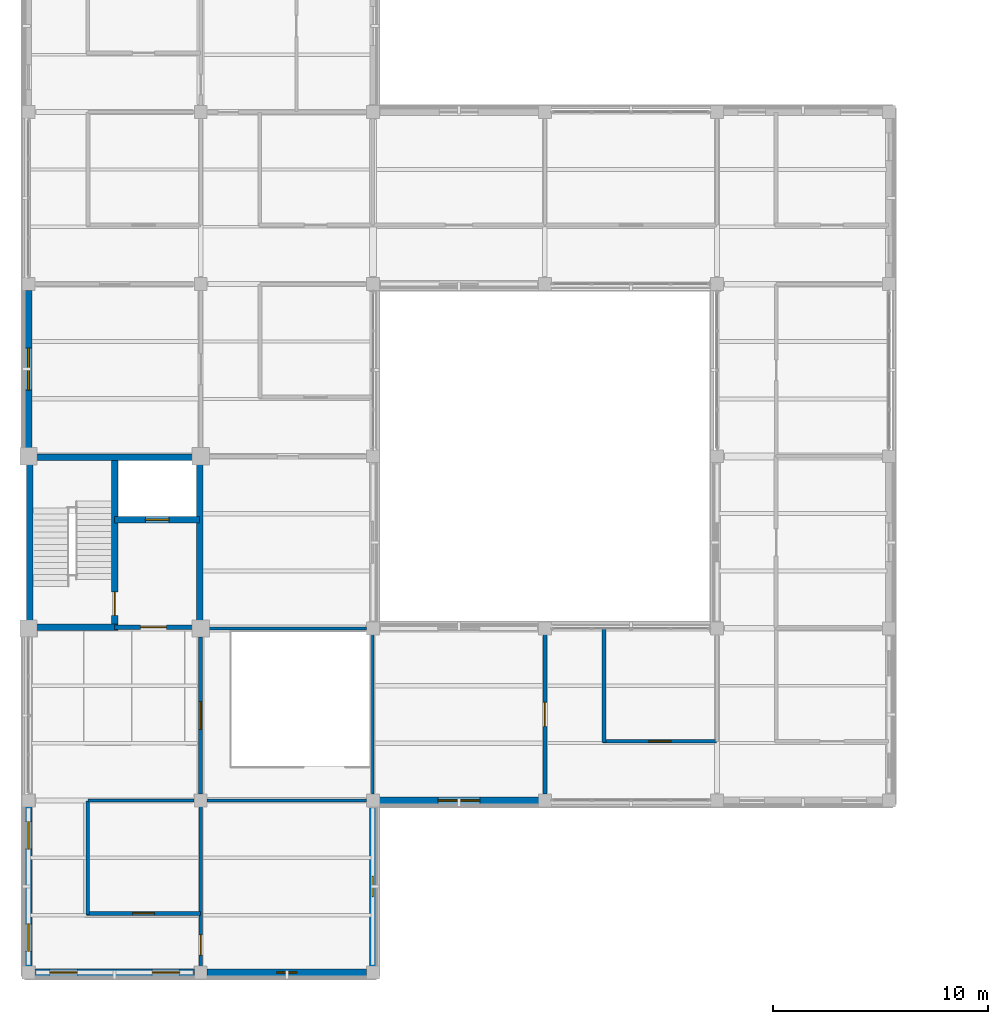
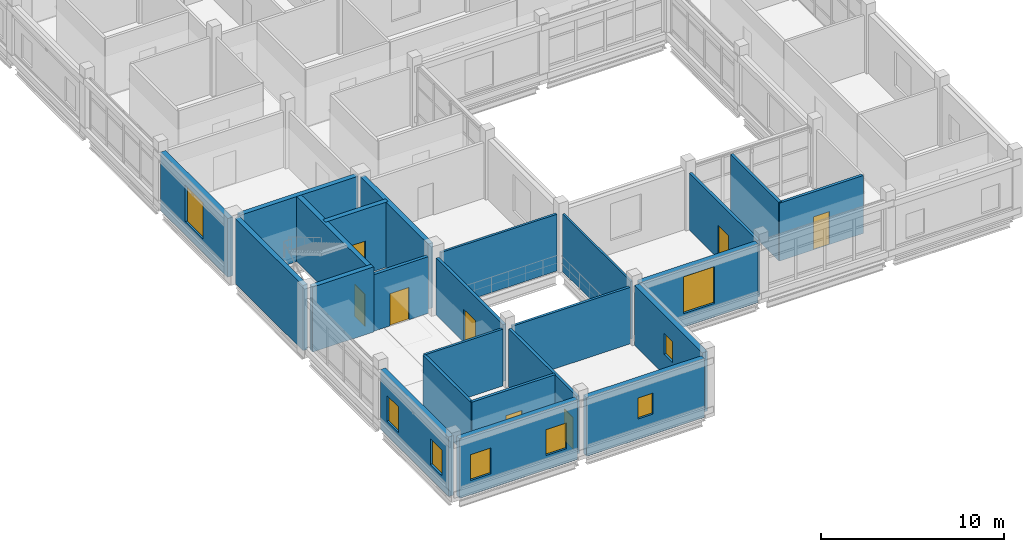
# One storey, part 76 of 121: 24 walls, 8 doors, 8 windows, 16 openings.
"""IFC4 building model written with IfcOpenShell, lengths in metres."""

from ifc_helpers import new_model, si_unit, derived_unit, direction, frame, frame_2d, origin, place, context, subcontext, project, spatial, rectangle, extrude, material, layer, layer_set, type_object, element, fill, save


model = new_model("IFC4")

# Units and contexts
model_context = context("Model", 3, precision=1e-05, world=origin(), true_north=direction((0.0, 1.0)))
body_context = subcontext(model_context, "Body", "Model", "MODEL_VIEW")
ifc_project = project(units=[si_unit("LENGTHUNIT", "METRE"), si_unit("AREAUNIT", "SQUARE_METRE"), si_unit("VOLUMEUNIT", "CUBIC_METRE"), si_unit("PLANEANGLEUNIT", "RADIAN"), si_unit("MASSUNIT", "GRAM", prefix="KILO"), derived_unit("THERMALTRANSMITTANCEUNIT", [(si_unit("MASSUNIT", "GRAM", prefix="KILO"), 1), (si_unit("TIMEUNIT", "SECOND"), -3), (si_unit("THERMODYNAMICTEMPERATUREUNIT", "KELVIN"), -1)])], contexts=[model_context])

# Site, building, storey
site_placement = place(None, origin())
site = spatial("IfcSite", under=ifc_project, at=site_placement, CompositionType="ELEMENT")
building_placement = place(site_placement, origin())
building = spatial("IfcBuilding", under=site, at=building_placement, Name="Veyamyaing Civic Hall", CompositionType="ELEMENT")
storey_placement = place(building_placement, frame((0.0, 0.0, 5.280029296875)))
storey = spatial("IfcBuildingStorey", under=building, at=storey_placement, Name="L01", CompositionType="ELEMENT", Elevation=5.280029296875)

# Wall, openings, windows
ifc_material_1 = material(Name="Precast concrete C40/50", Category="concrete")
ifc_layer_1 = layer(ifc_material_1, 0.320068359375, Name="Precast concrete C40/50")
ifc_layer_set_1 = layer_set([ifc_layer_1], Name="Precast concrete C40/50")
wall_type_1 = type_object("IfcWallType", Name="WT-02", PredefinedType="SOLIDWALL", material=ifc_layer_set_1)
wall_1_placement = place(storey_placement, frame((0.284912109375, 0.0, 0.0), z_axis=(0.0, 0.0, 1.0), x_axis=(1.0, 0.0, 0.0)))
wall_1 = element("IfcWall", 1, at=wall_1_placement, inside=storey, type_object=wall_type_1, Name="Exterior facade wall WT-02 L01 S 1.1", PredefinedType="SOLIDWALL", context=body_context, shape_type="SweptSolid", body=[
    extrude(rectangle(XDim=7.43017578125, YDim=0.320068359375, at=frame_2d((3.715087890625, 0.0))), origin(), (0.0, 0.0, 1.0), 3.973876953125),
])
opening_1_placement = place(wall_1_placement, frame((0.697509765625, 0.0, 0.949951171875)))
opening_1 = element("IfcOpeningElement", 2, at=opening_1_placement, cuts=wall_1, Name="Opening W-31", PredefinedType="OPENING", context=body_context, shape_type="SweptSolid", body=[
    extrude(rectangle(XDim=1.280029296875, YDim=1.719970703125, at=frame_2d((0.64013671875, 0.85986328125))), frame((0.0, 0.169921875, 0.0), z_axis=(0.0, -1.0, 0.0), x_axis=(1.0, 0.0, 0.0)), (0.0, 0.0, 1.0), 0.340087890625),
])
opening_2_placement = place(wall_1_placement, frame((5.45263671875, 0.0, 0.949951171875)))
opening_2 = element("IfcOpeningElement", 3, at=opening_2_placement, cuts=wall_1, Name="Opening W-31", PredefinedType="OPENING", context=body_context, shape_type="SweptSolid", body=[
    extrude(rectangle(XDim=1.280029296875, YDim=1.719970703125, at=frame_2d((0.64013671875, 0.85986328125))), frame((0.0, 0.169921875, 0.0), z_axis=(0.0, -1.0, 0.0), x_axis=(1.0, 0.0, 0.0)), (0.0, 0.0, 1.0), 0.340087890625),
])
ifc_material_2 = material(Name="Low-E insulated glass", Category="glass")
window_type_1 = type_object("IfcWindowType", Name="W-31", PartitioningType="SINGLE_PANEL", PredefinedType="WINDOW", material=ifc_material_2)
window_1_placement = place(opening_1_placement, origin())
window_1 = element("IfcWindow", 4, at=window_1_placement, inside=storey, type_object=window_type_1, Name="Facade window W-31 L01 S 1.1.1", OverallHeight=1.719970703125, OverallWidth=1.280029296875, PartitioningType="SINGLE_PANEL", PredefinedType="WINDOW", context=body_context, shape_type="SweptSolid", body=[
    extrude(rectangle(XDim=1.280029296875, YDim=1.719970703125, at=frame_2d((0.64013671875, 0.85986328125))), frame((0.0, 0.030029296875, 0.0), z_axis=(0.0, -1.0, 0.0), x_axis=(1.0, 0.0, 0.0)), (0.0, 0.0, 1.0), 0.06005859375),
])
fill(opening_1, window_1)
window_2_placement = place(opening_2_placement, origin())
window_2 = element("IfcWindow", 5, at=window_2_placement, inside=storey, type_object=window_type_1, Name="Facade window W-31 L01 S 1.1.2", OverallHeight=1.719970703125, OverallWidth=1.280029296875, PartitioningType="SINGLE_PANEL", PredefinedType="WINDOW", context=body_context, shape_type="SweptSolid", body=[
    extrude(rectangle(XDim=1.280029296875, YDim=1.719970703125, at=frame_2d((0.64013671875, 0.85986328125))), frame((0.0, 0.030029296875, 0.0), z_axis=(0.0, -1.0, 0.0), x_axis=(1.0, 0.0, 0.0)), (0.0, 0.0, 1.0), 0.06005859375),
])
fill(opening_2, window_2)

wall_2_placement = place(storey_placement, frame((0.0, 0.284912109375, 0.0), z_axis=(0.0, 0.0, 1.0), x_axis=(0.0, 1.0, 0.0)))
wall_2 = element("IfcWall", 6, at=wall_2_placement, inside=storey, type_object=wall_type_1, Name="Exterior facade wall WT-02 L01 W 1.1", PredefinedType="SOLIDWALL", context=body_context, shape_type="SweptSolid", body=[
    extrude(rectangle(XDim=7.43017578125, YDim=0.320068359375, at=frame_2d((3.715087890625, 0.0))), origin(), (0.0, 0.0, 1.0), 3.973876953125),
])
opening_3_placement = place(wall_2_placement, frame((0.697509765625, 0.0, 0.949951171875)))
opening_3 = element("IfcOpeningElement", 7, at=opening_3_placement, cuts=wall_2, Name="Opening W-31", PredefinedType="OPENING", context=body_context, shape_type="SweptSolid", body=[
    extrude(rectangle(XDim=1.280029296875, YDim=1.719970703125, at=frame_2d((0.64013671875, 0.85986328125))), frame((0.0, 0.169921875, 0.0), z_axis=(0.0, -1.0, 0.0), x_axis=(1.0, 0.0, 0.0)), (0.0, 0.0, 1.0), 0.340087890625),
])
opening_4_placement = place(wall_2_placement, frame((5.45263671875, 0.0, 0.949951171875)))
opening_4 = element("IfcOpeningElement", 8, at=opening_4_placement, cuts=wall_2, Name="Opening W-31", PredefinedType="OPENING", context=body_context, shape_type="SweptSolid", body=[
    extrude(rectangle(XDim=1.280029296875, YDim=1.719970703125, at=frame_2d((0.64013671875, 0.85986328125))), frame((0.0, 0.169921875, 0.0), z_axis=(0.0, -1.0, 0.0), x_axis=(1.0, 0.0, 0.0)), (0.0, 0.0, 1.0), 0.340087890625),
])
window_3_placement = place(opening_3_placement, origin())
window_3 = element("IfcWindow", 9, at=window_3_placement, inside=storey, type_object=window_type_1, Name="Facade window W-31 L01 W 1.1.1", OverallHeight=1.719970703125, OverallWidth=1.280029296875, PartitioningType="SINGLE_PANEL", PredefinedType="WINDOW", context=body_context, shape_type="SweptSolid", body=[
    extrude(rectangle(XDim=1.280029296875, YDim=1.719970703125, at=frame_2d((0.64013671875, 0.85986328125))), frame((0.0, 0.030029296875, 0.0), z_axis=(0.0, -1.0, 0.0), x_axis=(1.0, 0.0, 0.0)), (0.0, 0.0, 1.0), 0.06005859375),
])
fill(opening_3, window_3)
window_4_placement = place(opening_4_placement, origin())
window_4 = element("IfcWindow", 10, at=window_4_placement, inside=storey, type_object=window_type_1, Name="Facade window W-31 L01 W 1.1.2", OverallHeight=1.719970703125, OverallWidth=1.280029296875, PartitioningType="SINGLE_PANEL", PredefinedType="WINDOW", context=body_context, shape_type="SweptSolid", body=[
    extrude(rectangle(XDim=1.280029296875, YDim=1.719970703125, at=frame_2d((0.64013671875, 0.85986328125))), frame((0.0, 0.030029296875, 0.0), z_axis=(0.0, -1.0, 0.0), x_axis=(1.0, 0.0, 0.0)), (0.0, 0.0, 1.0), 0.06005859375),
])
fill(opening_4, window_4)

# Wall, opening, window
wall_3_placement = place(storey_placement, frame((0.0, 24.385009765625, 0.0), z_axis=(0.0, 0.0, 1.0), x_axis=(0.0, 1.0, 0.0)))
wall_3 = element("IfcWall", 11, at=wall_3_placement, inside=storey, type_object=wall_type_1, Name="Exterior facade wall WT-02 L01 W 1.4", PredefinedType="SOLIDWALL", context=body_context, shape_type="SweptSolid", body=[
    extrude(rectangle(XDim=7.330078125, YDim=0.320068359375, at=frame_2d((3.6650390625, 0.0))), origin(), (0.0, 0.0, 1.0), 3.909912109375),
])
opening_5_placement = place(wall_3_placement, frame((2.68994140625, 0.0, 0.89990234375)))
opening_5 = element("IfcOpeningElement", 12, at=opening_5_placement, cuts=wall_3, Name="Opening W-26", PredefinedType="OPENING", context=body_context, shape_type="SweptSolid", body=[
    extrude(rectangle(XDim=1.949951171875, YDim=2.449951171875, at=frame_2d((0.97509765625, 1.22509765625))), frame((0.0, 0.169921875, 0.0), z_axis=(0.0, -1.0, 0.0), x_axis=(1.0, 0.0, 0.0)), (0.0, 0.0, 1.0), 0.340087890625),
])
window_type_2 = type_object("IfcWindowType", Name="W-26", PartitioningType="SINGLE_PANEL", PredefinedType="WINDOW", material=ifc_material_2)
window_5_placement = place(opening_5_placement, origin())
window_5 = element("IfcWindow", 13, at=window_5_placement, inside=storey, type_object=window_type_2, Name="Facade window W-26 L01 W 1.4", OverallHeight=2.449951171875, OverallWidth=1.949951171875, PartitioningType="SINGLE_PANEL", PredefinedType="WINDOW", context=body_context, shape_type="SweptSolid", body=[
    extrude(rectangle(XDim=1.949951171875, YDim=2.449951171875, at=frame_2d((0.97509765625, 1.22509765625))), frame((0.0, 0.030029296875, 0.0), z_axis=(0.0, -1.0, 0.0), x_axis=(1.0, 0.0, 0.0)), (0.0, 0.0, 1.0), 0.06005859375),
])
fill(opening_5, window_5)

wall_4_placement = place(storey_placement, frame((8.284912109375, 0.0, 0.0), z_axis=(0.0, 0.0, 1.0), x_axis=(1.0, 0.0, 0.0)))
wall_4 = element("IfcWall", 14, at=wall_4_placement, inside=storey, type_object=wall_type_1, Name="Exterior facade wall WT-02 L01 S 2.1", PredefinedType="SOLIDWALL", context=body_context, shape_type="SweptSolid", body=[
    extrude(rectangle(XDim=7.43017578125, YDim=0.320068359375, at=frame_2d((3.715087890625, 0.0))), origin(), (0.0, 0.0, 1.0), 3.9140625),
])
opening_6_placement = place(wall_4_placement, frame((3.239990234375, 0.0, 1.35009765625)))
opening_6 = element("IfcOpeningElement", 15, at=opening_6_placement, cuts=wall_4, Name="Opening W-20", PredefinedType="OPENING", context=body_context, shape_type="SweptSolid", body=[
    extrude(rectangle(XDim=0.949951171875, YDim=1.39990234375, at=frame_2d((0.47509765625, 0.699951171875))), frame((0.0, 0.169921875, 0.0), z_axis=(0.0, -1.0, 0.0), x_axis=(1.0, 0.0, 0.0)), (0.0, 0.0, 1.0), 0.340087890625),
])
window_type_3 = type_object("IfcWindowType", Name="W-20", PartitioningType="SINGLE_PANEL", PredefinedType="WINDOW", material=ifc_material_2)
window_6_placement = place(opening_6_placement, origin())
window_6 = element("IfcWindow", 16, at=window_6_placement, inside=storey, type_object=window_type_3, Name="Facade window W-20 L01 S 2.1", OverallHeight=1.39990234375, OverallWidth=0.949951171875, PartitioningType="SINGLE_PANEL", PredefinedType="WINDOW", context=body_context, shape_type="SweptSolid", body=[
    extrude(rectangle(XDim=0.949951171875, YDim=1.39990234375, at=frame_2d((0.47509765625, 0.699951171875))), frame((0.0, 0.030029296875, 0.0), z_axis=(0.0, -1.0, 0.0), x_axis=(1.0, 0.0, 0.0)), (0.0, 0.0, 1.0), 0.06005859375),
])
fill(opening_6, window_6)

wall_5_placement = place(storey_placement, frame((16.0, 0.284912109375, 0.0), z_axis=(0.0, 0.0, 1.0), x_axis=(0.0, 1.0, 0.0)))
wall_5 = element("IfcWall", 17, at=wall_5_placement, inside=storey, type_object=wall_type_1, Name="Exterior facade wall WT-02 L01 E 2.1", PredefinedType="SOLIDWALL", context=body_context, shape_type="SweptSolid", body=[
    extrude(rectangle(XDim=7.43017578125, YDim=0.320068359375, at=frame_2d((3.715087890625, 0.0))), origin(), (0.0, 0.0, 1.0), 3.97705078125),
])
opening_7_placement = place(wall_5_placement, frame((3.239990234375, 0.0, 1.35009765625)))
opening_7 = element("IfcOpeningElement", 18, at=opening_7_placement, cuts=wall_5, Name="Opening W-20", PredefinedType="OPENING", context=body_context, shape_type="SweptSolid", body=[
    extrude(rectangle(XDim=0.949951171875, YDim=1.39990234375, at=frame_2d((0.47509765625, 0.699951171875))), frame((0.0, 0.169921875, 0.0), z_axis=(0.0, -1.0, 0.0), x_axis=(1.0, 0.0, 0.0)), (0.0, 0.0, 1.0), 0.340087890625),
])
window_7_placement = place(opening_7_placement, origin())
window_7 = element("IfcWindow", 19, at=window_7_placement, inside=storey, type_object=window_type_3, Name="Facade window W-20 L01 E 2.1", OverallHeight=1.39990234375, OverallWidth=0.949951171875, PartitioningType="SINGLE_PANEL", PredefinedType="WINDOW", context=body_context, shape_type="SweptSolid", body=[
    extrude(rectangle(XDim=0.949951171875, YDim=1.39990234375, at=frame_2d((0.47509765625, 0.699951171875))), frame((0.0, 0.030029296875, 0.0), z_axis=(0.0, -1.0, 0.0), x_axis=(1.0, 0.0, 0.0)), (0.0, 0.0, 1.0), 0.06005859375),
])
fill(opening_7, window_7)

wall_6_placement = place(storey_placement, frame((16.284912109375, 8.0, 0.0), z_axis=(0.0, 0.0, 1.0), x_axis=(1.0, 0.0, 0.0)))
wall_6 = element("IfcWall", 20, at=wall_6_placement, inside=storey, type_object=wall_type_1, Name="Exterior facade wall WT-02 L01 S 3.2", PredefinedType="SOLIDWALL", context=body_context, shape_type="SweptSolid", body=[
    extrude(rectangle(XDim=7.43017578125, YDim=0.320068359375, at=frame_2d((3.715087890625, 0.0))), origin(), (0.0, 0.0, 1.0), 3.909912109375),
])
opening_8_placement = place(wall_6_placement, frame((2.739990234375, 0.0, 0.89990234375)))
opening_8 = element("IfcOpeningElement", 21, at=opening_8_placement, cuts=wall_6, Name="Opening W-26", PredefinedType="OPENING", context=body_context, shape_type="SweptSolid", body=[
    extrude(rectangle(XDim=1.949951171875, YDim=2.449951171875, at=frame_2d((0.97509765625, 1.22509765625))), frame((0.0, 0.169921875, 0.0), z_axis=(0.0, -1.0, 0.0), x_axis=(1.0, 0.0, 0.0)), (0.0, 0.0, 1.0), 0.340087890625),
])
window_8_placement = place(opening_8_placement, origin())
window_8 = element("IfcWindow", 22, at=window_8_placement, inside=storey, type_object=window_type_2, Name="Facade window W-26 L01 S 3.2", OverallHeight=2.449951171875, OverallWidth=1.949951171875, PartitioningType="SINGLE_PANEL", PredefinedType="WINDOW", context=body_context, shape_type="SweptSolid", body=[
    extrude(rectangle(XDim=1.949951171875, YDim=2.449951171875, at=frame_2d((0.97509765625, 1.22509765625))), frame((0.0, 0.030029296875, 0.0), z_axis=(0.0, -1.0, 0.0), x_axis=(1.0, 0.0, 0.0)), (0.0, 0.0, 1.0), 0.06005859375),
])
fill(opening_8, window_8)

# Walls
ifc_material_3 = material(Name="Concrete C40/50", Category="concrete")
ifc_layer_2 = layer(ifc_material_3, 0.300048828125, Name="Concrete C40/50")
ifc_layer_set_2 = layer_set([ifc_layer_2], Name="Concrete C40/50")
wall_type_2 = type_object("IfcWallType", Name="WT-05", PredefinedType="SHEAR", material=ifc_layer_set_2)
for number, where, z_axis, x_axis, name in (
    (23, (0.050048828125, 16.2900390625, 0.0), (0.0, 0.0, 1.0), (0.0, 1.0, 0.0), "Core shear wall WT-05 CORE-7 L01.W"),
    (24, (0.2900390625, 23.949951171875, 0.0), (0.0, 0.0, 1.0), (1.0, 0.0, 0.0), "Core shear wall WT-05 CORE-7 L01.N"),
    (25, (7.949951171875, 16.2900390625, 0.0), (0.0, 0.0, 1.0), (0.0, 1.0, 0.0), "Core shear wall WT-05 CORE-7 L01.E"),
):
    element("IfcWall", number, at=place(storey_placement, frame(where, z_axis=z_axis, x_axis=x_axis)), inside=storey, type_object=wall_type_2, Name=name, PredefinedType="SHEAR", context=body_context, shape_type="SweptSolid", body=[
        extrude(rectangle(XDim=7.419921875, YDim=0.300048828125, at=frame_2d((3.7099609375, 0.0))), origin(), (0.0, 0.0, 1.0), 4.3349609375),
    ])
wall_7_placement = place(storey_placement, frame((0.2900390625, 16.050048828125, 0.0), z_axis=(0.0, 0.0, 1.0), x_axis=(1.0, 0.0, 0.0)))
element("IfcWall", 26, at=wall_7_placement, inside=storey, type_object=wall_type_2, Name="Core shear wall WT-05 CORE-7 L01.SS", PredefinedType="SHEAR", context=body_context, shape_type="SweptSolid", body=[
    extrude(rectangle(XDim=3.85986328125, YDim=0.300048828125, at=frame_2d((1.929931640625, 0.0))), origin(), (0.0, 0.0, 1.0), 4.3349609375),
])

# Wall, opening, door
wall_8_placement = place(storey_placement, frame((4.0, 16.050048828125, 0.0), z_axis=(0.0, 0.0, 1.0), x_axis=(0.0, 1.0, 0.0)))
wall_8 = element("IfcWall", 27, at=wall_8_placement, inside=storey, type_object=wall_type_2, Name="Core shear wall WT-05 CORE-7 L01.MID", PredefinedType="SHEAR", context=body_context, shape_type="SweptSolid", body=[
    extrude(rectangle(XDim=7.89990234375, YDim=0.300048828125, at=frame_2d((3.949951171875, 0.0))), origin(), (0.0, 0.0, 1.0), 4.3349609375),
])
opening_9_placement = place(wall_8_placement, frame((0.550048828125, 0.0, 0.0)))
opening_9 = element("IfcOpeningElement", 28, at=opening_9_placement, cuts=wall_8, Name="Opening D-03", PredefinedType="OPENING", context=body_context, shape_type="SweptSolid", body=[
    extrude(rectangle(XDim=1.10009765625, YDim=2.14990234375, at=frame_2d((0.550048828125, 1.074951171875))), frame((0.0, 0.159912109375, 0.0), z_axis=(0.0, -1.0, 0.0), x_axis=(1.0, 0.0, 0.0)), (0.0, 0.0, 1.0), 0.320068359375),
])
ifc_material_4 = material(Name="Galvanized steel S355J2", Category="steel")
door_type_1 = type_object("IfcDoorType", Name="D-03", OperationType="NOTDEFINED", PredefinedType="DOOR", material=ifc_material_4)
door_1_placement = place(opening_9_placement, origin())
door_1 = element("IfcDoor", 29, at=door_1_placement, inside=storey, type_object=door_type_1, Name="Exit stair fire door D-03 ST-09 L01", OperationType="SINGLE_SWING_LEFT", OverallHeight=2.14990234375, OverallWidth=1.10009765625, PredefinedType="DOOR", context=body_context, shape_type="SweptSolid", body=[
    extrude(rectangle(XDim=1.10009765625, YDim=2.14990234375, at=frame_2d((0.550048828125, 1.074951171875))), frame((0.0, 0.02490234375, 0.0), z_axis=(0.0, -1.0, 0.0), x_axis=(1.0, 0.0, 0.0)), (0.0, 0.0, 1.0), 0.050048828125),
])
fill(opening_9, door_1)

wall_9_placement = place(storey_placement, frame((4.0, 21.050048828125, 0.0), z_axis=(0.0, 0.0, 1.0), x_axis=(1.0, 0.0, 0.0)))
wall_9 = element("IfcWall", 30, at=wall_9_placement, inside=storey, type_object=wall_type_2, Name="Core shear wall WT-05 CORE-7 L01.LFT", PredefinedType="SHEAR", context=body_context, shape_type="SweptSolid", body=[
    extrude(rectangle(XDim=3.949951171875, YDim=0.300048828125, at=frame_2d((1.97509765625, 0.0))), origin(), (0.0, 0.0, 1.0), 4.3349609375),
])
opening_10_placement = place(wall_9_placement, frame((1.425048828125, 0.0, 0.0)))
opening_10 = element("IfcOpeningElement", 31, at=opening_10_placement, cuts=wall_9, Name="Opening LD-01", PredefinedType="OPENING", context=body_context, shape_type="SweptSolid", body=[
    extrude(rectangle(XDim=1.10009765625, YDim=2.199951171875, at=frame_2d((0.550048828125, 1.10009765625))), frame((0.0, 0.159912109375, 0.0), z_axis=(0.0, -1.0, 0.0), x_axis=(1.0, 0.0, 0.0)), (0.0, 0.0, 1.0), 0.320068359375),
])
ifc_material_5 = material(Name="Anodised aluminium 6063-T6", Category="aluminium")
door_type_2 = type_object("IfcDoorType", Name="LD-01", OperationType="SLIDING_TO_LEFT", PredefinedType="DOOR", material=ifc_material_5)
door_2_placement = place(opening_10_placement, origin())
door_2 = element("IfcDoor", 32, at=door_2_placement, inside=storey, type_object=door_type_2, Name="Lift sliding landing door LD-01 PL-05 L01", OperationType="SLIDING_TO_LEFT", OverallHeight=2.199951171875, OverallWidth=1.10009765625, PredefinedType="DOOR", context=body_context, shape_type="SweptSolid", body=[
    extrude(rectangle(XDim=1.10009765625, YDim=2.199951171875, at=frame_2d((0.550048828125, 1.10009765625))), frame((0.0, 0.02490234375, 0.0), z_axis=(0.0, -1.0, 0.0), x_axis=(1.0, 0.0, 0.0)), (0.0, 0.0, 1.0), 0.050048828125),
])
fill(opening_10, door_2)

ifc_layer_3 = layer(ifc_material_3, 0.199951171875, Name="Concrete C40/50")
ifc_layer_set_3 = layer_set([ifc_layer_3], Name="Concrete C40/50")
wall_type_3 = type_object("IfcWallType", Name="WT-06", PredefinedType="PARTITIONING", material=ifc_layer_set_3)
wall_10_placement = place(storey_placement, frame((4.0, 16.050048828125, 0.0), z_axis=(0.0, 0.0, 1.0), x_axis=(1.0, 0.0, 0.0)))
wall_10 = element("IfcWall", 33, at=wall_10_placement, inside=storey, type_object=wall_type_3, Name="Firefighting lift lobby wall WT-06 CORE-7 L01", PredefinedType="PARTITIONING", context=body_context, shape_type="SweptSolid", body=[
    extrude(rectangle(XDim=3.610107421875, YDim=0.199951171875, at=frame_2d((1.80517578125, 0.0))), origin(), (0.0, 0.0, 1.0), 3.77099609375),
])
opening_11_placement = place(wall_10_placement, frame((1.205078125, 0.0, 0.0)))
opening_11 = element("IfcOpeningElement", 34, at=opening_11_placement, cuts=wall_10, Name="Opening D-04", PredefinedType="OPENING", context=body_context, shape_type="SweptSolid", body=[
    extrude(rectangle(XDim=1.199951171875, YDim=2.14990234375, at=frame_2d((0.60009765625, 1.074951171875))), frame((0.0, 0.10986328125, 0.0), z_axis=(0.0, -1.0, 0.0), x_axis=(1.0, 0.0, 0.0)), (0.0, 0.0, 1.0), 0.219970703125),
])
door_type_3 = type_object("IfcDoorType", Name="D-04", OperationType="NOTDEFINED", PredefinedType="DOOR", material=ifc_material_4)
door_3_placement = place(opening_11_placement, frame((1.199951171875, 0.0, 0.0), z_axis=(0.0, 0.0, 1.0), x_axis=(-1.0, 0.0, 0.0)))
door_3 = element("IfcDoor", 35, at=door_3_placement, inside=storey, type_object=door_type_3, Name="Protected lobby fire door D-04 CORE-7 L01", OperationType="SINGLE_SWING_RIGHT", OverallHeight=2.14990234375, OverallWidth=1.199951171875, PredefinedType="DOOR", context=body_context, shape_type="SweptSolid", body=[
    extrude(rectangle(XDim=1.199951171875, YDim=2.14990234375, at=frame_2d((0.60009765625, 1.074951171875))), frame((0.0, 0.02490234375, 0.0), z_axis=(0.0, -1.0, 0.0), x_axis=(1.0, 0.0, 0.0)), (0.0, 0.0, 1.0), 0.050048828125),
])
fill(opening_11, door_3)

ifc_material_6 = material(Name="Gypsum board on acoustic steel stud", Category="steel")
ifc_layer_4 = layer(ifc_material_6, 0.175048828125, Name="Gypsum board on acoustic steel stud")
ifc_layer_set_4 = layer_set([ifc_layer_4], Name="Gypsum board on acoustic steel stud")
wall_type_4 = type_object("IfcWallType", Name="WT-07", PredefinedType="PARTITIONING", material=ifc_layer_set_4)
wall_11_placement = place(storey_placement, frame((2.699951171875, 2.75, 0.0), z_axis=(0.0, 0.0, 1.0), x_axis=(1.0, 0.0, 0.0)))
wall_11 = element("IfcWall", 36, at=wall_11_placement, inside=storey, type_object=wall_type_4, Name="Corridor gallery partition WT-07 L01.1.1", PredefinedType="PARTITIONING", context=body_context, shape_type="SweptSolid", body=[
    extrude(rectangle(XDim=5.280029296875, YDim=0.175048828125, at=frame_2d((2.64013671875, 0.0))), origin(), (0.0, 0.0, 1.0), 3.85693359375),
])
opening_12_placement = place(wall_11_placement, frame((2.1298828125, 0.0, 0.0)))
opening_12 = element("IfcOpeningElement", 37, at=opening_12_placement, cuts=wall_11, Name="Opening D-19", PredefinedType="OPENING", context=body_context, shape_type="SweptSolid", body=[
    extrude(rectangle(XDim=1.02001953125, YDim=2.199951171875, at=frame_2d((0.510009765625, 1.10009765625))), frame((0.0, 0.097412109375, 0.0), z_axis=(0.0, -1.0, 0.0), x_axis=(1.0, 0.0, 0.0)), (0.0, 0.0, 1.0), 0.195068359375),
])
ifc_material_7 = material(Name="Teak-veneered acoustic timber", Category="wood")
door_type_4 = type_object("IfcDoorType", Name="D-19", OperationType="NOTDEFINED", PredefinedType="DOOR", material=ifc_material_7)
door_4_placement = place(opening_12_placement, origin())
door_4 = element("IfcDoor", 38, at=door_4_placement, inside=storey, type_object=door_type_4, Name="Gallery office door D-19 L01.1", OperationType="SINGLE_SWING_LEFT", OverallHeight=2.199951171875, OverallWidth=1.02001953125, PredefinedType="DOOR", context=body_context, shape_type="SweptSolid", body=[
    extrude(rectangle(XDim=1.02001953125, YDim=2.199951171875, at=frame_2d((0.510009765625, 1.10009765625))), frame((0.0, 0.02490234375, 0.0), z_axis=(0.0, -1.0, 0.0), x_axis=(1.0, 0.0, 0.0)), (0.0, 0.0, 1.0), 0.050048828125),
])
fill(opening_12, door_4)

# Wall
wall_12_placement = place(storey_placement, frame((2.75, 2.699951171875, 0.0), z_axis=(0.0, 0.0, 1.0), x_axis=(0.0, 1.0, 0.0)))
element("IfcWall", 39, at=wall_12_placement, inside=storey, type_object=wall_type_4, Name="Corridor gallery partition WT-07 L01.1.2", PredefinedType="PARTITIONING", context=body_context, shape_type="SweptSolid", body=[
    extrude(rectangle(XDim=5.280029296875, YDim=0.175048828125, at=frame_2d((2.64013671875, 0.0))), origin(), (0.0, 0.0, 1.0), 3.786865234375),
])

# Wall, opening, door
wall_13_placement = place(storey_placement, frame((26.699951171875, 10.75, 0.0), z_axis=(0.0, 0.0, 1.0), x_axis=(1.0, 0.0, 0.0)))
wall_13 = element("IfcWall", 40, at=wall_13_placement, inside=storey, type_object=wall_type_4, Name="Corridor gallery partition WT-07 L01.21.1", PredefinedType="PARTITIONING", context=body_context, shape_type="SweptSolid", body=[
    extrude(rectangle(XDim=5.280029296875, YDim=0.175048828125, at=frame_2d((2.64013671875, 0.0))), origin(), (0.0, 0.0, 1.0), 3.85693359375),
])
opening_13_placement = place(wall_13_placement, frame((2.1298828125, 0.0, 0.0)))
opening_13 = element("IfcOpeningElement", 41, at=opening_13_placement, cuts=wall_13, Name="Opening D-19", PredefinedType="OPENING", context=body_context, shape_type="SweptSolid", body=[
    extrude(rectangle(XDim=1.02001953125, YDim=2.199951171875, at=frame_2d((0.510009765625, 1.10009765625))), frame((0.0, 0.097412109375, 0.0), z_axis=(0.0, -1.0, 0.0), x_axis=(1.0, 0.0, 0.0)), (0.0, 0.0, 1.0), 0.195068359375),
])
door_5_placement = place(opening_13_placement, origin())
door_5 = element("IfcDoor", 42, at=door_5_placement, inside=storey, type_object=door_type_4, Name="Gallery office door D-19 L01.21", OperationType="SINGLE_SWING_LEFT", OverallHeight=2.199951171875, OverallWidth=1.02001953125, PredefinedType="DOOR", context=body_context, shape_type="SweptSolid", body=[
    extrude(rectangle(XDim=1.02001953125, YDim=2.199951171875, at=frame_2d((0.510009765625, 1.10009765625))), frame((0.0, 0.02490234375, 0.0), z_axis=(0.0, -1.0, 0.0), x_axis=(1.0, 0.0, 0.0)), (0.0, 0.0, 1.0), 0.050048828125),
])
fill(opening_13, door_5)

# Wall
wall_14_placement = place(storey_placement, frame((26.75, 10.699951171875, 0.0), z_axis=(0.0, 0.0, 1.0), x_axis=(0.0, 1.0, 0.0)))
element("IfcWall", 43, at=wall_14_placement, inside=storey, type_object=wall_type_4, Name="Corridor gallery partition WT-07 L01.21.2", PredefinedType="PARTITIONING", context=body_context, shape_type="SweptSolid", body=[
    extrude(rectangle(XDim=5.280029296875, YDim=0.175048828125, at=frame_2d((2.64013671875, 0.0))), origin(), (0.0, 0.0, 1.0), 3.906982421875),
])

# Wall, opening, door
wall_15_placement = place(storey_placement, frame((8.0, 0.2900390625, 0.0), z_axis=(0.0, 0.0, 1.0), x_axis=(0.0, 1.0, 0.0)))
wall_15 = element("IfcWall", 44, at=wall_15_placement, inside=storey, type_object=wall_type_4, Name="Interior partition wall WT-07 L01.1", PredefinedType="PARTITIONING", context=body_context, shape_type="SweptSolid", body=[
    extrude(rectangle(XDim=7.419921875, YDim=0.175048828125, at=frame_2d((3.7099609375, 0.0))), origin(), (0.0, 0.0, 1.0), 3.85693359375),
])
opening_14_placement = place(wall_15_placement, frame((0.52001953125, 0.0, 0.0)))
opening_14 = element("IfcOpeningElement", 45, at=opening_14_placement, cuts=wall_15, Name="Opening D-30", PredefinedType="OPENING", context=body_context, shape_type="SweptSolid", body=[
    extrude(rectangle(XDim=0.93994140625, YDim=2.1201171875, at=frame_2d((0.469970703125, 1.06005859375))), frame((0.0, 0.097412109375, 0.0), z_axis=(0.0, -1.0, 0.0), x_axis=(1.0, 0.0, 0.0)), (0.0, 0.0, 1.0), 0.195068359375),
])
door_type_5 = type_object("IfcDoorType", Name="D-30", OperationType="NOTDEFINED", PredefinedType="DOOR", material=ifc_material_7)
door_6_placement = place(opening_14_placement, frame((0.93994140625, 0.0, 0.0), z_axis=(0.0, 0.0, 1.0), x_axis=(-1.0, 0.0, 0.0)))
door_6 = element("IfcDoor", 46, at=door_6_placement, inside=storey, type_object=door_type_5, Name="Interior door D-30 L01.1", OperationType="SINGLE_SWING_RIGHT", OverallHeight=2.1201171875, OverallWidth=0.93994140625, PredefinedType="DOOR", context=body_context, shape_type="SweptSolid", body=[
    extrude(rectangle(XDim=0.93994140625, YDim=2.1201171875, at=frame_2d((0.469970703125, 1.06005859375))), frame((0.0, 0.02490234375, 0.0), z_axis=(0.0, -1.0, 0.0), x_axis=(1.0, 0.0, 0.0)), (0.0, 0.0, 1.0), 0.050048828125),
])
fill(opening_14, door_6)

wall_16_placement = place(storey_placement, frame((24.0, 8.2900390625, 0.0), z_axis=(0.0, 0.0, 1.0), x_axis=(0.0, 1.0, 0.0)))
wall_16 = element("IfcWall", 47, at=wall_16_placement, inside=storey, type_object=wall_type_4, Name="Interior partition wall WT-07 L01.15", PredefinedType="PARTITIONING", context=body_context, shape_type="SweptSolid", body=[
    extrude(rectangle(XDim=7.419921875, YDim=0.175048828125, at=frame_2d((3.7099609375, 0.0))), origin(), (0.0, 0.0, 1.0), 3.786865234375),
])
opening_15_placement = place(wall_16_placement, frame((3.14990234375, 0.0, 0.0)))
opening_15 = element("IfcOpeningElement", 48, at=opening_15_placement, cuts=wall_16, Name="Opening D-26", PredefinedType="OPENING", context=body_context, shape_type="SweptSolid", body=[
    extrude(rectangle(XDim=1.1201171875, YDim=2.219970703125, at=frame_2d((0.56005859375, 1.10986328125))), frame((0.0, 0.097412109375, 0.0), z_axis=(0.0, -1.0, 0.0), x_axis=(1.0, 0.0, 0.0)), (0.0, 0.0, 1.0), 0.195068359375),
])
door_type_6 = type_object("IfcDoorType", Name="D-26", OperationType="NOTDEFINED", PredefinedType="DOOR", material=ifc_material_7)
door_7_placement = place(opening_15_placement, origin())
door_7 = element("IfcDoor", 49, at=door_7_placement, inside=storey, type_object=door_type_6, Name="Interior door D-26 L01.15", OperationType="SINGLE_SWING_LEFT", OverallHeight=2.219970703125, OverallWidth=1.1201171875, PredefinedType="DOOR", context=body_context, shape_type="SweptSolid", body=[
    extrude(rectangle(XDim=1.1201171875, YDim=2.219970703125, at=frame_2d((0.56005859375, 1.10986328125))), frame((0.0, 0.02490234375, 0.0), z_axis=(0.0, -1.0, 0.0), x_axis=(1.0, 0.0, 0.0)), (0.0, 0.0, 1.0), 0.050048828125),
])
fill(opening_15, door_7)

# Walls
ifc_material_8 = material(Name="Gypsum board on steel stud", Category="steel")
ifc_layer_5 = layer(ifc_material_8, 0.14990234375, Name="Gypsum board on steel stud")
ifc_layer_set_5 = layer_set([ifc_layer_5], Name="Gypsum board on steel stud")
wall_type_5 = type_object("IfcWallType", Name="WT-08", PredefinedType="PARTITIONING", material=ifc_layer_set_5)
wall_17_placement = place(storey_placement, frame((2.75, 8.0, 0.0), z_axis=(0.0, 0.0, 1.0), x_axis=(1.0, 0.0, 0.0)))
element("IfcWall", 50, at=wall_17_placement, inside=storey, type_object=wall_type_5, Name="Gallery office end partition WT-08 L01.1.1", PredefinedType="PARTITIONING", context=body_context, shape_type="SweptSolid", body=[
    extrude(rectangle(XDim=4.93994140625, YDim=0.14990234375, at=frame_2d((2.469970703125, 0.0))), origin(), (0.0, 0.0, 1.0), 3.786865234375),
])
ifc_material_9 = material(Name="Cement-board wet-area partition")
ifc_layer_6 = layer(ifc_material_9, 0.159912109375, Name="Cement-board wet-area partition")
ifc_layer_set_6 = layer_set([ifc_layer_6], Name="Cement-board wet-area partition")
wall_type_6 = type_object("IfcWallType", Name="WT-14", PredefinedType="PARTITIONING", material=ifc_layer_set_6)
wall_18_placement = place(storey_placement, frame((8.2900390625, 8.0, 0.0), z_axis=(0.0, 0.0, 1.0), x_axis=(1.0, 0.0, 0.0)))
element("IfcWall", 51, at=wall_18_placement, inside=storey, type_object=wall_type_6, Name="Interior partition wall WT-14 L01.7", PredefinedType="PARTITIONING", context=body_context, shape_type="SweptSolid", body=[
    extrude(rectangle(XDim=7.419921875, YDim=0.159912109375, at=frame_2d((3.7099609375, 0.0))), origin(), (0.0, 0.0, 1.0), 3.77099609375),
])
ifc_layer_7 = layer(ifc_material_8, 0.1201171875, Name="Gypsum board on steel stud")
ifc_layer_set_7 = layer_set([ifc_layer_7], Name="Gypsum board on steel stud")
wall_type_7 = type_object("IfcWallType", Name="WT-16", PredefinedType="PARTITIONING", material=ifc_layer_set_7)
wall_19_placement = place(storey_placement, frame((16.0, 8.2900390625, 0.0), z_axis=(0.0, 0.0, 1.0), x_axis=(0.0, 1.0, 0.0)))
element("IfcWall", 52, at=wall_19_placement, inside=storey, type_object=wall_type_7, Name="Interior partition wall WT-16 L01.8", PredefinedType="PARTITIONING", context=body_context, shape_type="SweptSolid", body=[
    extrude(rectangle(XDim=7.419921875, YDim=0.1201171875, at=frame_2d((3.7099609375, 0.0))), origin(), (0.0, 0.0, 1.0), 3.85107421875),
])

# Wall, opening, door
ifc_material_10 = material(Name="Gypsum board on double acoustic stud")
ifc_layer_8 = layer(ifc_material_10, 0.18505859375, Name="Gypsum board on double acoustic stud")
ifc_layer_set_8 = layer_set([ifc_layer_8], Name="Gypsum board on double acoustic stud")
wall_type_8 = type_object("IfcWallType", Name="WT-19", PredefinedType="PARTITIONING", material=ifc_layer_set_8)
wall_20_placement = place(storey_placement, frame((8.0, 8.2900390625, 0.0), z_axis=(0.0, 0.0, 1.0), x_axis=(0.0, 1.0, 0.0)))
wall_20 = element("IfcWall", 53, at=wall_20_placement, inside=storey, type_object=wall_type_8, Name="Interior partition wall WT-19 L01.2", PredefinedType="PARTITIONING", context=body_context, shape_type="SweptSolid", body=[
    extrude(rectangle(XDim=7.320068359375, YDim=0.18505859375, at=frame_2d((3.66015625, 0.0))), origin(), (0.0, 0.0, 1.0), 3.781005859375),
])
opening_16_placement = place(wall_20_placement, frame((3.010009765625, 0.0, 0.0)))
opening_16 = element("IfcOpeningElement", 54, at=opening_16_placement, cuts=wall_20, Name="Opening D-18", PredefinedType="OPENING", context=body_context, shape_type="SweptSolid", body=[
    extrude(rectangle(XDim=1.300048828125, YDim=2.199951171875, at=frame_2d((0.64990234375, 1.10009765625))), frame((0.0, 0.1025390625, 0.0), z_axis=(0.0, -1.0, 0.0), x_axis=(1.0, 0.0, 0.0)), (0.0, 0.0, 1.0), 0.205078125),
])
door_type_7 = type_object("IfcDoorType", Name="D-18", OperationType="DOUBLE_DOOR_SINGLE_SWING", PredefinedType="DOOR", material=ifc_material_5)
door_8_placement = place(opening_16_placement, frame((1.300048828125, 0.0, 0.0), z_axis=(0.0, 0.0, 1.0), x_axis=(-1.0, 0.0, 0.0)))
door_8 = element("IfcDoor", 55, at=door_8_placement, inside=storey, type_object=door_type_7, Name="Interior door D-18 L01.2", OperationType="DOUBLE_DOOR_SINGLE_SWING", OverallHeight=2.199951171875, OverallWidth=1.300048828125, PredefinedType="DOOR", context=body_context, shape_type="SweptSolid", body=[
    extrude(rectangle(XDim=1.300048828125, YDim=2.199951171875, at=frame_2d((0.64990234375, 1.10009765625))), frame((0.0, 0.02490234375, 0.0), z_axis=(0.0, -1.0, 0.0), x_axis=(1.0, 0.0, 0.0)), (0.0, 0.0, 1.0), 0.050048828125),
])
fill(opening_16, door_8)

# Wall
ifc_layer_9 = layer(ifc_material_8, 0.14208984375, Name="Gypsum board on steel stud")
ifc_layer_set_9 = layer_set([ifc_layer_9], Name="Gypsum board on steel stud")
wall_type_9 = type_object("IfcWallType", Name="WT-20", PredefinedType="PARTITIONING", material=ifc_layer_set_9)
wall_21_placement = place(storey_placement, frame((8.389892578125, 16.0, 0.0), z_axis=(0.0, 0.0, 1.0), x_axis=(1.0, 0.0, 0.0)))
element("IfcWall", 56, at=wall_21_placement, inside=storey, type_object=wall_type_9, Name="Interior partition wall WT-20 L01.9", PredefinedType="PARTITIONING", context=body_context, shape_type="SweptSolid", body=[
    extrude(rectangle(XDim=7.320068359375, YDim=0.14208984375, at=frame_2d((3.66015625, 0.0))), origin(), (0.0, 0.0, 1.0), 3.781005859375),
])

save(model, "model.ifc")
